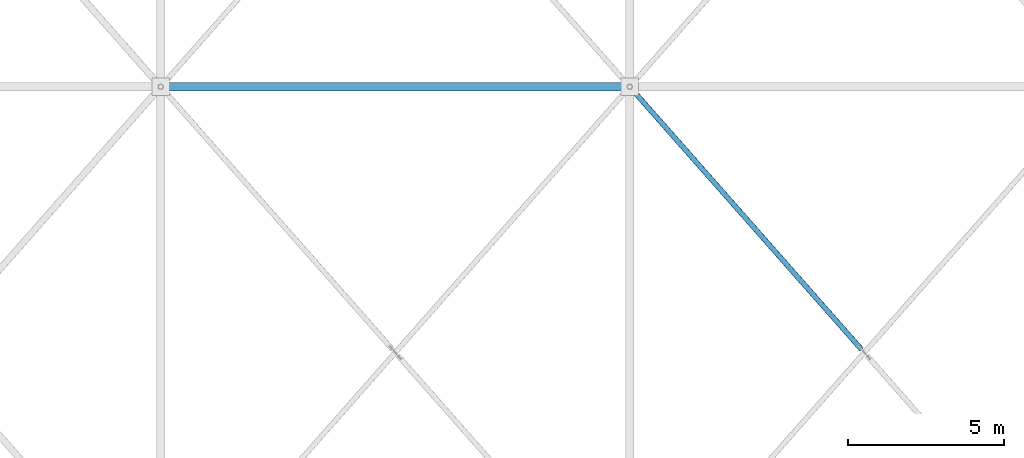
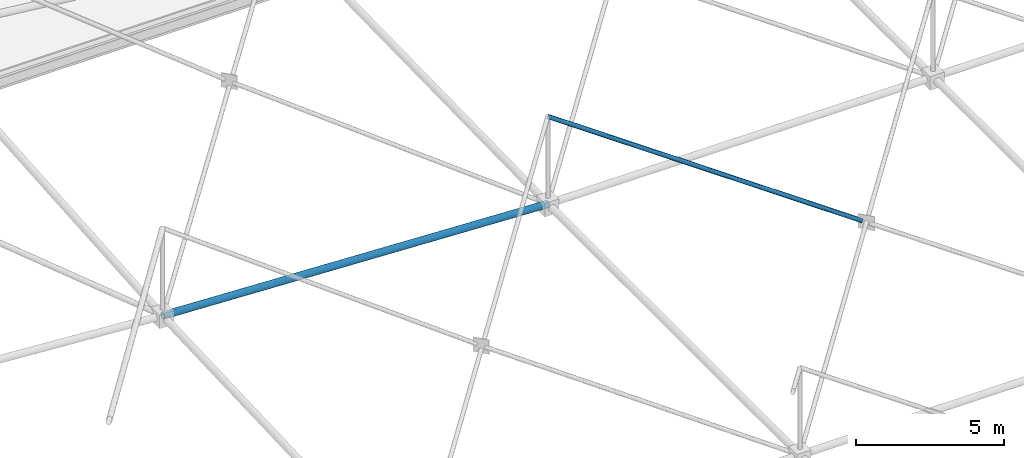
# One storey, part 79 of 224: 2 members.
"""IFC4 building model written with IfcOpenShell, lengths in metres."""

from ifc_helpers import new_model, si_unit, direction, frame, origin, origin_2d, place, context, subcontext, project, spatial, hollow_circle, extrude, material, material_profile, profile_set, type_object, element, save


model = new_model("IFC4")

# Units and contexts
model_context = context("Model", 3, precision=1e-05, world=origin(), true_north=direction((0.0, 1.0)))
body_context = subcontext(model_context, "Body", "Model", "MODEL_VIEW")
ifc_project = project(units=[si_unit("LENGTHUNIT", "METRE"), si_unit("AREAUNIT", "SQUARE_METRE"), si_unit("VOLUMEUNIT", "CUBIC_METRE"), si_unit("PLANEANGLEUNIT", "RADIAN"), si_unit("MASSUNIT", "GRAM", prefix="KILO")], contexts=[model_context])

# Site, building, storey
site_placement = place(None, origin())
site = spatial("IfcSite", under=ifc_project, at=site_placement, CompositionType="ELEMENT")
building_placement = place(site_placement, origin())
building = spatial("IfcBuilding", under=site, at=building_placement, Name="Qamarlyn Nura Convention Centre", CompositionType="ELEMENT")
storey_placement = place(building_placement, frame((0.0, 0.0, 10.800048828125)))
storey = spatial("IfcBuildingStorey", under=building, at=storey_placement, Name="L02", CompositionType="ELEMENT", Elevation=10.800048828125)

# Members
ifc_material = material(Name="Pearl-white PVDF steel ASTM A500 Grade C", Category="steel")
ifc_material_profile_1 = material_profile(ifc_material, hollow_circle(Radius=0.136474609375, WallThickness=0.012451171875, at=origin_2d()), Name="CHS273X12.5")
ifc_profile_set_1 = profile_set([ifc_material_profile_1], Name="Pearl-white PVDF steel ASTM A500 Grade C")
member_type_1 = type_object("IfcMemberType", Name="SF-BC-MAIN", PredefinedType="CHORD", material=ifc_profile_set_1)
member_1_placement = place(storey_placement, frame((15.0, 86.0, 1.48046875), z_axis=(0.999057783726, 0.0, -0.043399824622), x_axis=(0.0, 1.0, 0.0)))
element("IfcMember", 1, at=member_1_placement, inside=storey, type_object=member_type_1, Name="ROOF TRUSS space frame bottom chord X3-6", PredefinedType="CHORD", context=body_context, shape_type="SweptSolid", body=[
    extrude(hollow_circle(Radius=0.136474609375, WallThickness=0.012451171875, at=origin_2d()), origin(), (0.0, 0.0, 1.0), 15.01416015625),
])
ifc_material_profile_2 = material_profile(ifc_material, hollow_circle(Radius=0.084228515625, WallThickness=0.008056640625, at=origin_2d()), Name="CHS168.3X8")
ifc_profile_set_2 = profile_set([ifc_material_profile_2], Name="Pearl-white PVDF steel ASTM A500 Grade C")
member_type_2 = type_object("IfcMemberType", Name="SF-WEB-STD", PredefinedType="BRACE", material=ifc_profile_set_2)
member_2_placement = place(storey_placement, frame((37.408447265625, 77.603759765625, 2.629150390625), z_axis=(-0.653237113899, 0.740335395752, 0.158697116614), x_axis=(-0.749837855365, -0.661621637087, 0.0)))
element("IfcMember", 2, at=member_2_placement, inside=storey, type_object=member_type_2, Name="ROOF TRUSS space frame split diagonal B2 4-5", PredefinedType="BRACE", context=body_context, shape_type="SweptSolid", body=[
    extrude(hollow_circle(Radius=0.084228515625, WallThickness=0.008056640625, at=origin_2d()), origin(), (0.0, 0.0, 1.0), 11.341064453125),
])

save(model, "model.ifc")
